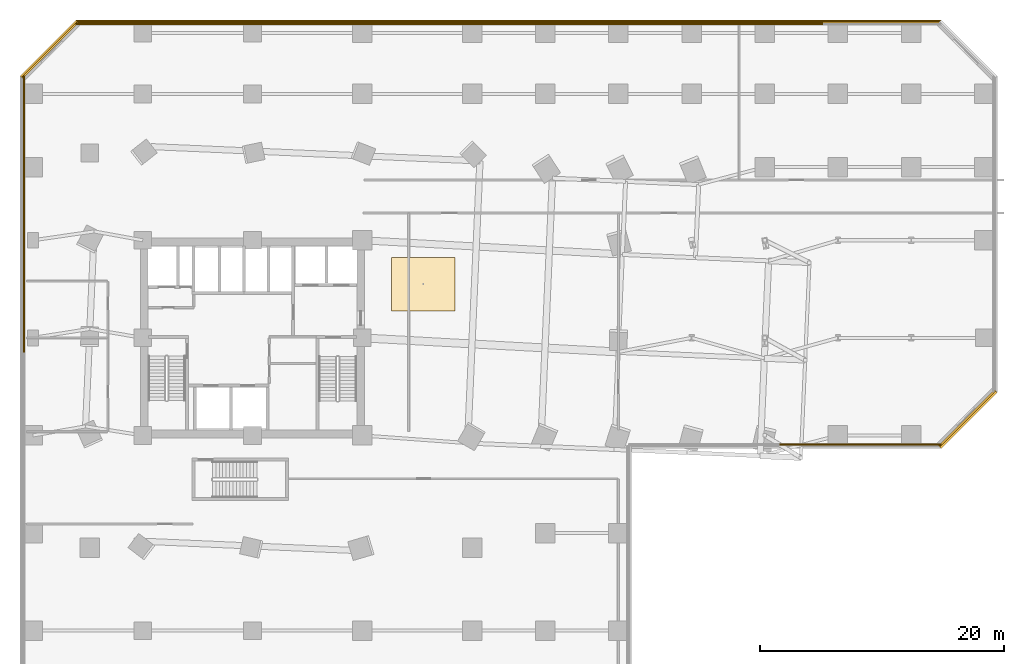
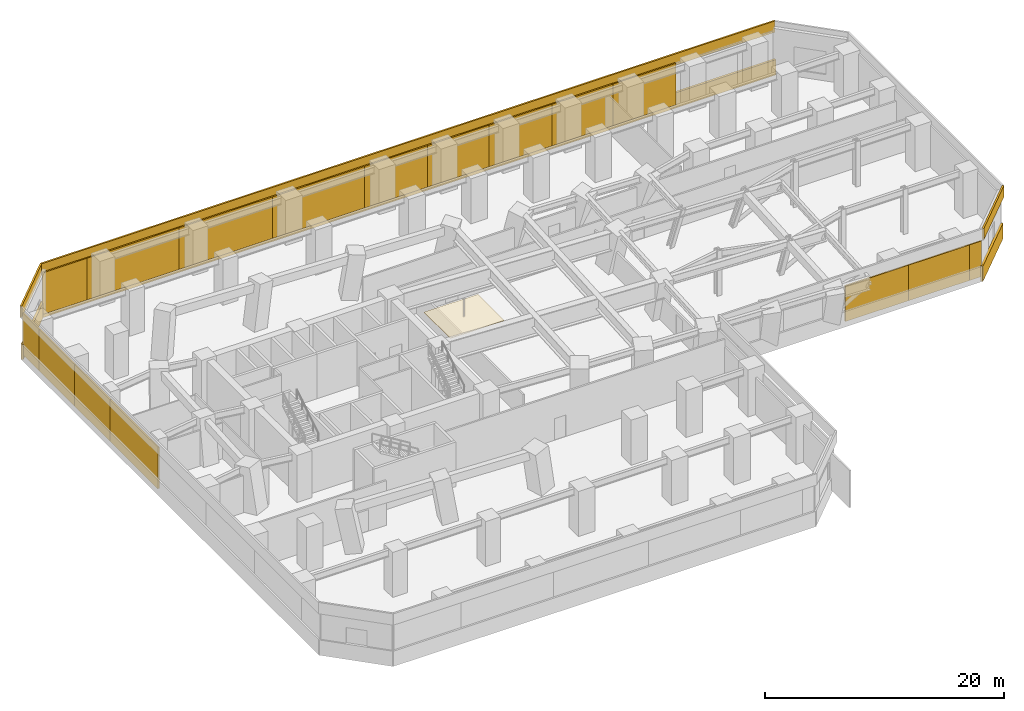
# One storey, part 13 of 14: 23 coverings.
"""IFC4 building model written with IfcOpenShell, lengths in metres."""

from ifc_helpers import new_model, si_unit, direction, frame, origin, origin_2d, place, context, subcontext, project, spatial, polyline, rectangle, outline, extrude, source, transform, mapped, material, layer, layer_set, type_object, element, save


model = new_model("IFC4")

# Units and contexts
model_context = context("Model", 3, precision=1e-05, world=origin(), true_north=direction((0.0, 1.0)))
body_context = subcontext(model_context, "Body", "Model", "MODEL_VIEW")
ifc_project = project(units=[si_unit("LENGTHUNIT", "METRE"), si_unit("AREAUNIT", "SQUARE_METRE"), si_unit("VOLUMEUNIT", "CUBIC_METRE"), si_unit("PLANEANGLEUNIT", "RADIAN"), si_unit("MASSUNIT", "GRAM", prefix="KILO")], contexts=[model_context])

# Site, building, storey
site_placement = place(None, origin())
site = spatial("IfcSite", under=ifc_project, at=site_placement, CompositionType="ELEMENT")
building_placement = place(site_placement, origin())
building = spatial("IfcBuilding", under=site, at=building_placement, Name="Torre Montelarca", CompositionType="ELEMENT")
storey_placement = place(building_placement, frame((0.0, 0.0, 28.0)))
storey = spatial("IfcBuildingStorey", under=building, at=storey_placement, Name="L06", CompositionType="ELEMENT", Elevation=28.0)

# Coverings
ifc_material_1 = material(Name="Micro-perforated walnut timber acoustic slat", Category="wood")
ifc_layer_1 = layer(ifc_material_1, 0.050048828125, Name="Micro-perforated walnut timber acoustic slat", Category="wood")
ifc_layer_set_1 = layer_set([ifc_layer_1], Name="Micro-perforated walnut timber acoustic slat")
covering_type_1 = type_object("IfcCoveringType", Name="COV-CEIL-WD2", PredefinedType="CEILING", material=ifc_layer_set_1)
covering_1_placement = place(storey_placement, frame((0.0, 0.0, 2.719970703125)))
element("IfcCovering", 1, at=covering_1_placement, inside=storey, type_object=covering_type_1, Name="L06 Acoustic Suspended Ceiling 01", PredefinedType="CEILING", context=body_context, shape_type="SweptSolid", body=[
    extrude(outline(polyline([(29.39990234375, 34.199951171875), (34.60009765625, 34.199951171875), (34.60009765625, 38.60009765625), (29.39990234375, 38.60009765625), (29.39990234375, 34.199951171875)])), origin(), (0.0, 0.0, 1.0), 0.050048828125),
])
ifc_material_2 = material(Name="Bush-hammered warm white precast concrete C45/55", Category="concrete")
ifc_layer_2 = layer(ifc_material_2, 0.139892578125, Name="Bush-hammered warm white precast concrete C45/55", Category="concrete")
ifc_layer_set_2 = layer_set([ifc_layer_2], Name="Bush-hammered warm white precast concrete C45/55")
covering_type_2 = type_object("IfcCoveringType", Name="COV-TRAY-CLAD", PredefinedType="CLADDING", material=ifc_layer_set_2)
shared_shape_1 = source(origin(), body_context, "Body", "SweptSolid", [
    extrude(rectangle(XDim=6.48388671875, YDim=0.219970703125, at=origin_2d()), origin(), (0.0, 0.0, 1.0), 1.56005859375),
])
for number, where, z_axis, x_axis, name in (
    (2, (76.62890625, 25.37109375, -0.400146484375), (0.0, 0.0, 1.0), (0.707106781187, 0.707106781187, 0.0), "L06 Architectural White Spandrel Tray Band PODBOT-05"),
    (3, (1.37109375, 55.62890625, -0.400146484375), (0.0, 0.0, 1.0), (-0.707106781187, -0.707106781187, 0.0), "L06 Architectural White Spandrel Tray Band PODBOT-09"),
):
    element("IfcCovering", number, at=place(storey_placement, frame(where, z_axis=z_axis, x_axis=x_axis)), inside=storey, type_object=covering_type_2, Name=name, PredefinedType="CLADDING", context=body_context, shape_type="MappedRepresentation", body=[
        mapped(shared_shape_1, transform((0.0, 0.0, 0.0), scale=1.0)),
    ])
shared_shape_2 = source(origin(), body_context, "Body", "SweptSolid", [
    extrude(rectangle(XDim=70.919921875, YDim=0.219970703125, at=origin_2d()), origin(), (0.0, 0.0, 1.0), 1.56005859375),
])
covering_2_placement = place(storey_placement, frame((39.0, 57.8701171875, -0.400146484375), z_axis=(0.0, 0.0, 1.0), x_axis=(-1.0, 0.0, 0.0)))
element("IfcCovering", 4, at=covering_2_placement, inside=storey, type_object=covering_type_2, Name="L06 Architectural White Spandrel Tray Band PODBOT-08", PredefinedType="CLADDING", context=body_context, shape_type="MappedRepresentation", body=[
    mapped(shared_shape_2, transform((0.0, 0.0, 0.0), scale=1.0)),
])
shared_shape_3 = source(origin(), body_context, "Body", "SweptSolid", [
    extrude(rectangle(XDim=9.080078125, YDim=0.139892578125, at=origin_2d()), origin(), (0.0, 0.0, 1.0), 4.25),
])
for number, where, z_axis, x_axis, name in (
    (5, (30.219970703125, 57.739990234375, 0.0), (0.0, 0.0, 1.0), (-1.0, 0.0, 0.0), "L06 Architectural Column Pier Cladding E08-9"),
    (6, (12.294921875, 57.739990234375, 0.0), (0.0, 0.0, 1.0), (-1.0, 0.0, 0.0), "L06 Architectural Column Pier Cladding E08-11"),
):
    element("IfcCovering", number, at=place(storey_placement, frame(where, z_axis=z_axis, x_axis=x_axis)), inside=storey, type_object=covering_type_2, Name=name, PredefinedType="CLADDING", context=body_context, shape_type="MappedRepresentation", body=[
        mapped(shared_shape_3, transform((0.0, 0.0, 0.0), scale=1.0)),
    ])
shared_shape_4 = source(origin(), body_context, "Body", "SweptSolid", [
    extrude(rectangle(XDim=6.080078125, YDim=0.139892578125, at=origin_2d()), origin(), (0.0, 0.0, 1.0), 4.25),
])
for number, where, z_axis, x_axis, name in (
    (7, (61.719970703125, 57.739990234375, 0.0), (0.0, 0.0, 1.0), (-1.0, 0.0, 0.0), "L06 Architectural Column Pier Cladding E08-4"),
    (8, (55.719970703125, 57.739990234375, 0.0), (0.0, 0.0, 1.0), (-1.0, 0.0, 0.0), "L06 Architectural Column Pier Cladding E08-5"),
    (9, (49.719970703125, 57.739990234375, 0.0), (0.0, 0.0, 1.0), (-1.0, 0.0, 0.0), "L06 Architectural Column Pier Cladding E08-6"),
    (10, (43.719970703125, 57.739990234375, 0.0), (0.0, 0.0, 1.0), (-1.0, 0.0, 0.0), "L06 Architectural Column Pier Cladding E08-7"),
    (11, (37.719970703125, 57.739990234375, 0.0), (0.0, 0.0, 1.0), (-1.0, 0.0, 0.0), "L06 Architectural Column Pier Cladding E08-8"),
    (12, (-0.739990234375, 47.719970703125, 0.0), (0.0, 0.0, 1.0), (0.0, -1.0, 0.0), "L06 Architectural Column Pier Cladding E10-2"),
):
    element("IfcCovering", number, at=place(storey_placement, frame(where, z_axis=z_axis, x_axis=x_axis)), inside=storey, type_object=covering_type_2, Name=name, PredefinedType="CLADDING", context=body_context, shape_type="MappedRepresentation", body=[
        mapped(shared_shape_4, transform((0.0, 0.0, 0.0), scale=1.0)),
    ])
shared_shape_5 = source(origin(), body_context, "Body", "SweptSolid", [
    extrude(rectangle(XDim=8.080078125, YDim=0.139892578125, at=origin_2d()), origin(), (0.0, 0.0, 1.0), 4.25),
])
covering_3_placement = place(storey_placement, frame((-0.739990234375, 34.8701171875, 0.0), z_axis=(0.0, 0.0, 1.0), x_axis=(0.0, -1.0, 0.0)))
element("IfcCovering", 13, at=covering_3_placement, inside=storey, type_object=covering_type_2, Name="L06 Architectural Column Pier Cladding E10-4", PredefinedType="CLADDING", context=body_context, shape_type="MappedRepresentation", body=[
    mapped(shared_shape_5, transform((0.0, 0.0, 0.0), scale=1.0)),
])
shared_shape_6 = source(origin(), body_context, "Body", "SweptSolid", [
    extrude(rectangle(XDim=9.0048828125, YDim=0.139892578125, at=origin_2d()), origin(), (0.0, 0.0, 1.0), 4.25),
])
covering_4_placement = place(storey_placement, frame((21.257568359375, 57.739990234375, 0.0), z_axis=(0.0, 0.0, 1.0), x_axis=(-1.0, 0.0, 0.0)))
element("IfcCovering", 14, at=covering_4_placement, inside=storey, type_object=covering_type_2, Name="L06 Architectural Column Pier Cladding E08-10", PredefinedType="CLADDING", context=body_context, shape_type="MappedRepresentation", body=[
    mapped(shared_shape_6, transform((0.0, 0.0, 0.0), scale=1.0)),
])
shared_shape_7 = source(origin(), body_context, "Body", "SweptSolid", [
    extrude(rectangle(XDim=4.27490234375, YDim=0.139892578125, at=origin_2d()), origin(), (0.0, 0.0, 1.0), 4.25),
])
covering_5_placement = place(storey_placement, frame((5.697509765625, 57.739990234375, 0.0), z_axis=(0.0, 0.0, 1.0), x_axis=(-1.0, 0.0, 0.0)))
element("IfcCovering", 15, at=covering_5_placement, inside=storey, type_object=covering_type_2, Name="L06 Architectural Column Pier Cladding E08-12", PredefinedType="CLADDING", context=body_context, shape_type="MappedRepresentation", body=[
    mapped(shared_shape_7, transform((0.0, 0.0, 0.0), scale=1.0)),
])
shared_shape_8 = source(origin(), body_context, "Body", "SweptSolid", [
    extrude(rectangle(XDim=2.760009765625, YDim=0.139892578125, at=origin_2d()), origin(), (0.0, 0.0, 1.0), 4.25),
])
covering_6_placement = place(storey_placement, frame((-0.739990234375, 52.06005859375, 0.0), z_axis=(0.0, 0.0, 1.0), x_axis=(0.0, -1.0, 0.0)))
element("IfcCovering", 16, at=covering_6_placement, inside=storey, type_object=covering_type_2, Name="L06 Architectural Column Pier Cladding E10-1", PredefinedType="CLADDING", context=body_context, shape_type="MappedRepresentation", body=[
    mapped(shared_shape_8, transform((0.0, 0.0, 0.0), scale=1.0)),
])
shared_shape_9 = source(origin(), body_context, "Body", "SweptSolid", [
    extrude(rectangle(XDim=5.929931640625, YDim=0.139892578125, at=origin_2d()), origin(), (0.0, 0.0, 1.0), 4.25),
])
covering_7_placement = place(storey_placement, frame((-0.739990234375, 41.794921875, 0.0), z_axis=(0.0, 0.0, 1.0), x_axis=(0.0, -1.0, 0.0)))
element("IfcCovering", 17, at=covering_7_placement, inside=storey, type_object=covering_type_2, Name="L06 Architectural Column Pier Cladding E10-3", PredefinedType="CLADDING", context=body_context, shape_type="MappedRepresentation", body=[
    mapped(shared_shape_9, transform((0.0, 0.0, 0.0), scale=1.0)),
])
shared_shape_10 = source(origin(), body_context, "Body", "SweptSolid", [
    extrude(rectangle(XDim=6.080078125, YDim=0.139892578125, at=origin_2d()), origin(), (0.0, 0.0, 1.0), 3.635009765625),
])
for number, where, z_axis, x_axis, name in (
    (18, (64.280029296875, 23.260009765625, 0.0), (0.0, 0.0, 1.0), (1.0, 0.0, 0.0), "L06 Architectural Column Pier Cladding E04-4"),
    (19, (70.280029296875, 23.260009765625, 0.0), (0.0, 0.0, 1.0), (1.0, 0.0, 0.0), "L06 Architectural Column Pier Cladding E04-5"),
):
    element("IfcCovering", number, at=place(storey_placement, frame(where, z_axis=z_axis, x_axis=x_axis)), inside=storey, type_object=covering_type_2, Name=name, PredefinedType="CLADDING", context=body_context, shape_type="MappedRepresentation", body=[
        mapped(shared_shape_10, transform((0.0, 0.0, 0.0), scale=1.0)),
    ])
shared_shape_11 = source(origin(), body_context, "Body", "SweptSolid", [
    extrude(rectangle(XDim=1.199951171875, YDim=0.139892578125, at=origin_2d()), origin(), (0.0, 0.0, 1.0), 3.635009765625),
])
covering_8_placement = place(storey_placement, frame((73.840087890625, 23.260009765625, 0.0), z_axis=(0.0, 0.0, 1.0), x_axis=(1.0, 0.0, 0.0)))
element("IfcCovering", 20, at=covering_8_placement, inside=storey, type_object=covering_type_2, Name="L06 Architectural Column Pier Cladding E04-6", PredefinedType="CLADDING", context=body_context, shape_type="MappedRepresentation", body=[
    mapped(shared_shape_11, transform((0.0, 0.0, 0.0), scale=1.0)),
])
shared_shape_12 = source(origin(), body_context, "Body", "SweptSolid", [
    extrude(rectangle(XDim=6.48388671875, YDim=0.159912109375, at=origin_2d()), origin(), (0.0, 0.0, 1.0), 1.14990234375),
])
for number, where, z_axis, x_axis, name in (
    (21, (76.70654296875, 25.29345703125, 3.885009765625), (0.0, 0.0, 1.0), (0.707106781187, 0.707106781187, 0.0), "L06 Architectural White Spandrel Tray Band SETCORN-05"),
    (22, (1.29345703125, 55.70654296875, 3.885009765625), (0.0, 0.0, 1.0), (-0.707106781187, -0.707106781187, 0.0), "L06 Architectural White Spandrel Tray Band SETCORN-09"),
):
    element("IfcCovering", number, at=place(storey_placement, frame(where, z_axis=z_axis, x_axis=x_axis)), inside=storey, type_object=covering_type_2, Name=name, PredefinedType="CLADDING", context=body_context, shape_type="MappedRepresentation", body=[
        mapped(shared_shape_12, transform((0.0, 0.0, 0.0), scale=1.0)),
    ])
shared_shape_13 = source(origin(), body_context, "Body", "SweptSolid", [
    extrude(rectangle(XDim=70.919921875, YDim=0.159912109375, at=origin_2d()), origin(), (0.0, 0.0, 1.0), 1.14990234375),
])
covering_9_placement = place(storey_placement, frame((39.0, 57.97998046875, 3.885009765625), z_axis=(0.0, 0.0, 1.0), x_axis=(-1.0, 0.0, 0.0)))
element("IfcCovering", 23, at=covering_9_placement, inside=storey, type_object=covering_type_2, Name="L06 Architectural White Spandrel Tray Band SETCORN-08", PredefinedType="CLADDING", context=body_context, shape_type="MappedRepresentation", body=[
    mapped(shared_shape_13, transform((0.0, 0.0, 0.0), scale=1.0)),
])

save(model, "model.ifc")
